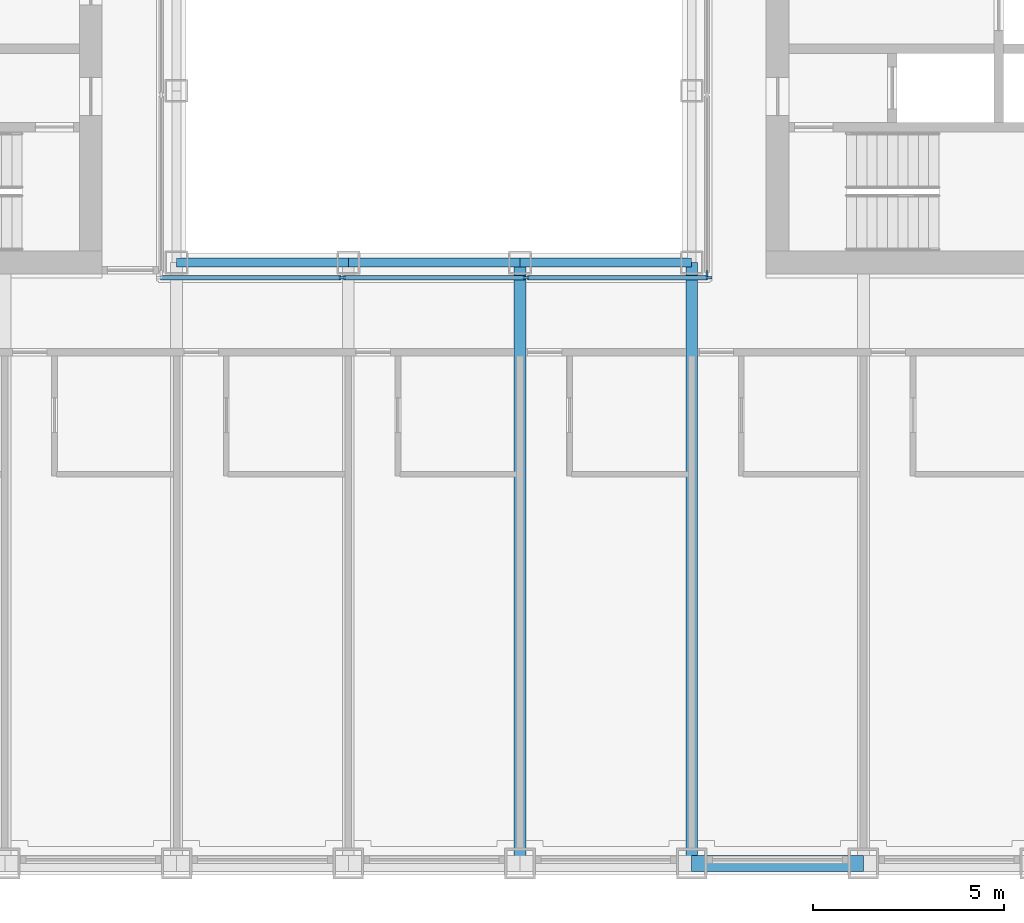
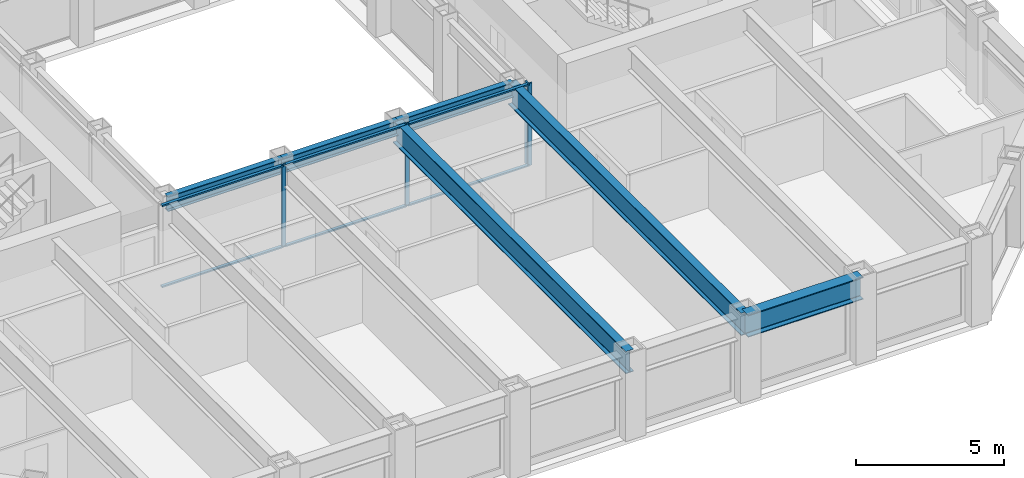
# One storey, part 3 of 18: 10 members, 6 beams, 2 elements without a shape of their own.
"""IFC4 building model written with IfcOpenShell, lengths in metres."""

from ifc_helpers import new_model, si_unit, direction, frame, origin, origin_2d, place, context, subcontext, project, spatial, rectangle, i_section, extrude, material, material_profile, profile_set, type_object, element, aggregate, save


model = new_model("IFC4")

# Units and contexts
model_context = context("Model", 3, precision=1e-05, world=origin(), true_north=direction((0.0, 1.0)))
body_context = subcontext(model_context, "Body", "Model", "MODEL_VIEW")
ifc_project = project(units=[si_unit("LENGTHUNIT", "METRE"), si_unit("AREAUNIT", "SQUARE_METRE"), si_unit("VOLUMEUNIT", "CUBIC_METRE"), si_unit("PLANEANGLEUNIT", "RADIAN"), si_unit("MASSUNIT", "GRAM", prefix="KILO")], contexts=[model_context])

# Site, building, storey
site_placement = place(None, origin())
site = spatial("IfcSite", under=ifc_project, at=site_placement, CompositionType="ELEMENT")
building_placement = place(site_placement, origin())
building = spatial("IfcBuilding", under=site, at=building_placement, Name="Msasa Ring Tower", CompositionType="ELEMENT")
storey_placement = place(building_placement, frame((0.0, 0.0, 125.60009765625)))
storey = spatial("IfcBuildingStorey", under=building, at=storey_placement, Name="L32", CompositionType="ELEMENT", Elevation=125.60009765625)

# Curtain wall, members
ifc_material_1 = material(Name="Aluminium curtain wall with clear glass", Category="aluminium")
curtain_wall_type = type_object("IfcCurtainWallType", Name="CW-W LIGHT WELL CURTAIN WALL", PredefinedType="NOTDEFINED", material=ifc_material_1)
curtain_wall_1_placement = place(storey_placement, origin())
curtain_wall_1 = element("IfcCurtainWall", 1, at=curtain_wall_1_placement, inside=storey, type_object=curtain_wall_type, Name="Light well curtain wall S L32", PredefinedType="NOTDEFINED")
ifc_material_2 = material(Name="Aluminium mullion", Category="aluminium")
ifc_material_profile_1 = material_profile(ifc_material_2, rectangle(XDim=0.06005859375, YDim=0.159912109375, at=origin_2d()), Name="AL 60x160")
ifc_profile_set_1 = profile_set([ifc_material_profile_1], Name="Aluminium mullion")
member_type_1 = type_object("IfcMemberType", Name="CW-W MULLION 60x160", PredefinedType="MULLION", material=ifc_profile_set_1)
member_1_placement = place(storey_placement, frame((-2.409912109375, -7.14990234375, 0.0), z_axis=(0.0, 0.0, 1.0), x_axis=(0.0, 1.0, 0.0)))
member_1 = element("IfcMember", 2, at=member_1_placement, type_object=member_type_1, Name="CW-W mullion 2", PredefinedType="MULLION", context=body_context, shape_type="SweptSolid", body=[
    extrude(rectangle(XDim=0.06005859375, YDim=0.159912109375, at=origin_2d()), origin(), (0.0, 0.0, 1.0), 3.39990234375),
])
member_2_placement = place(storey_placement, frame((2.409912109375, -7.14990234375, 0.0), z_axis=(0.0, 0.0, 1.0), x_axis=(0.0, 1.0, 0.0)))
member_2 = element("IfcMember", 3, at=member_2_placement, type_object=member_type_1, Name="CW-W mullion 3", PredefinedType="MULLION", context=body_context, shape_type="SweptSolid", body=[
    extrude(rectangle(XDim=0.06005859375, YDim=0.159912109375, at=origin_2d()), origin(), (0.0, 0.0, 1.0), 3.39990234375),
])
member_3_placement = place(storey_placement, frame((7.199951171875, -7.14990234375, 0.0), z_axis=(0.0, 0.0, 1.0), x_axis=(0.0, 1.0, 0.0)))
member_3 = element("IfcMember", 4, at=member_3_placement, type_object=member_type_1, Name="CW-W mullion 4", PredefinedType="MULLION", context=body_context, shape_type="SweptSolid", body=[
    extrude(rectangle(XDim=0.06005859375, YDim=0.159912109375, at=origin_2d()), origin(), (0.0, 0.0, 1.0), 3.39990234375),
])

# Curtain wall, member
curtain_wall_2_placement = place(storey_placement, origin())
curtain_wall_2 = element("IfcCurtainWall", 5, at=curtain_wall_2_placement, inside=storey, type_object=curtain_wall_type, Name="Light well curtain wall E L32", PredefinedType="NOTDEFINED")
member_4_placement = place(storey_placement, frame((7.14990234375, -7.0400390625, 0.0), z_axis=(0.0, 0.0, 1.0), x_axis=(-1.0, 0.0, 0.0)))
member_4 = element("IfcMember", 6, at=member_4_placement, type_object=member_type_1, Name="CW-W mullion 1", PredefinedType="MULLION", context=body_context, shape_type="SweptSolid", body=[
    extrude(rectangle(XDim=0.06005859375, YDim=0.159912109375, at=origin_2d()), origin(), (0.0, 0.0, 1.0), 3.39990234375),
])
aggregate(curtain_wall_2, [member_4])

# Member
ifc_material_3 = material(Name="Aluminium transom", Category="aluminium")
ifc_material_profile_2 = material_profile(ifc_material_3, rectangle(XDim=0.1201171875, YDim=0.06005859375, at=origin_2d()), Name="AL 60x120")
ifc_profile_set_2 = profile_set([ifc_material_profile_2], Name="Aluminium transom")
member_type_2 = type_object("IfcMemberType", Name="CW-W TRANSOM 60x120", PredefinedType="USERDEFINED", material=ifc_profile_set_2)
member_5_placement = place(storey_placement, frame((-7.169921875, -7.14990234375, 0.02978515625), z_axis=(1.0, 0.0, 0.0), x_axis=(0.0, 1.0, 0.0)))
member_5 = element("IfcMember", 7, at=member_5_placement, type_object=member_type_2, Name="CW-W transom 1.1", ObjectType="TRANSOM", PredefinedType="USERDEFINED", context=body_context, shape_type="SweptSolid", body=[
    extrude(rectangle(XDim=0.1201171875, YDim=0.06005859375, at=origin_2d()), origin(), (0.0, 0.0, 1.0), 4.72998046875),
])

member_6_placement = place(storey_placement, frame((-7.169921875, -7.14990234375, 3.369873046875), z_axis=(1.0, 0.0, 0.0), x_axis=(0.0, 1.0, 0.0)))
member_6 = element("IfcMember", 8, at=member_6_placement, type_object=member_type_2, Name="CW-W transom 1.2", ObjectType="TRANSOM", PredefinedType="USERDEFINED", context=body_context, shape_type="SweptSolid", body=[
    extrude(rectangle(XDim=0.1201171875, YDim=0.06005859375, at=origin_2d()), origin(), (0.0, 0.0, 1.0), 4.72998046875),
])

member_7_placement = place(storey_placement, frame((-2.3798828125, -7.14990234375, 0.02978515625), z_axis=(1.0, 0.0, 0.0), x_axis=(0.0, 1.0, 0.0)))
member_7 = element("IfcMember", 9, at=member_7_placement, type_object=member_type_2, Name="CW-W transom 2.1", ObjectType="TRANSOM", PredefinedType="USERDEFINED", context=body_context, shape_type="SweptSolid", body=[
    extrude(rectangle(XDim=0.1201171875, YDim=0.06005859375, at=origin_2d()), origin(), (0.0, 0.0, 1.0), 4.759765625),
])

member_8_placement = place(storey_placement, frame((-2.3798828125, -7.14990234375, 3.369873046875), z_axis=(1.0, 0.0, 0.0), x_axis=(0.0, 1.0, 0.0)))
member_8 = element("IfcMember", 10, at=member_8_placement, type_object=member_type_2, Name="CW-W transom 2.2", ObjectType="TRANSOM", PredefinedType="USERDEFINED", context=body_context, shape_type="SweptSolid", body=[
    extrude(rectangle(XDim=0.1201171875, YDim=0.06005859375, at=origin_2d()), origin(), (0.0, 0.0, 1.0), 4.759765625),
])

member_9_placement = place(storey_placement, frame((2.43994140625, -7.14990234375, 0.02978515625), z_axis=(1.0, 0.0, 0.0), x_axis=(0.0, 1.0, 0.0)))
member_9 = element("IfcMember", 11, at=member_9_placement, type_object=member_type_2, Name="CW-W transom 3.1", ObjectType="TRANSOM", PredefinedType="USERDEFINED", context=body_context, shape_type="SweptSolid", body=[
    extrude(rectangle(XDim=0.1201171875, YDim=0.06005859375, at=origin_2d()), origin(), (0.0, 0.0, 1.0), 4.72998046875),
])

member_10_placement = place(storey_placement, frame((2.43994140625, -7.14990234375, 3.369873046875), z_axis=(1.0, 0.0, 0.0), x_axis=(0.0, 1.0, 0.0)))
member_10 = element("IfcMember", 12, at=member_10_placement, type_object=member_type_2, Name="CW-W transom 3.2", ObjectType="TRANSOM", PredefinedType="USERDEFINED", context=body_context, shape_type="SweptSolid", body=[
    extrude(rectangle(XDim=0.1201171875, YDim=0.06005859375, at=origin_2d()), origin(), (0.0, 0.0, 1.0), 4.72998046875),
])

aggregate(curtain_wall_1, [member_1, member_2, member_3, member_5, member_6, member_7, member_8, member_9, member_10])

# Beams
ifc_material_4 = material(Name="Steel S355", Category="steel")
ifc_material_profile_3 = material_profile(ifc_material_4, i_section(OverallWidth=0.3076171875, OverallDepth=0.926513671875, WebThickness=0.01953125, FlangeThickness=0.031982421875, FilletRadius=0.01904296875, at=origin_2d()), Name="UB 914x305x289")
ifc_profile_set_3 = profile_set([ifc_material_profile_3], Name="Steel S355")
beam_type_1 = type_object("IfcBeamType", Name="FB3 UB 914x305x289", PredefinedType="BEAM", material=ifc_profile_set_3)
for number, where, z_axis, x_axis, name in (
    (13, (2.25, -22.5, 2.9365234375), (0.0, 1.0, 0.0), (-1.0, 0.0, 0.0), "Floor beam S+2.25 under L33"),
    (14, (6.75, -22.5, 2.9365234375), (0.0, 1.0, 0.0), (-1.0, 0.0, 0.0), "Floor beam S+6.75 under L33"),
):
    element("IfcBeam", number, at=place(storey_placement, frame(where, z_axis=z_axis, x_axis=x_axis)), inside=storey, type_object=beam_type_1, Name=name, PredefinedType="BEAM", context=body_context, shape_type="SweptSolid", body=[
        extrude(i_section(OverallWidth=0.3076171875, OverallDepth=0.926513671875, WebThickness=0.01953125, FlangeThickness=0.031982421875, FilletRadius=0.01904296875, at=origin_2d()), origin(), (0.0, 0.0, 1.0), 15.75),
    ])
ifc_material_5 = material(Name="Steel S355", Category="steel")
ifc_material_profile_4 = material_profile(ifc_material_5, i_section(OverallWidth=0.230224609375, OverallDepth=0.6171875, WebThickness=0.01318359375, FlangeThickness=0.022216796875, FilletRadius=0.0126953125, at=origin_2d()), Name="UB 610x229x140")
ifc_profile_set_4 = profile_set([ifc_material_profile_4], Name="Steel S355")
beam_type_2 = type_object("IfcBeamType", Name="RB1 UB 610x229x140", PredefinedType="BEAM", material=ifc_profile_set_4)
for number, where, z_axis, x_axis, name in (
    (15, (-6.75, -6.75, 3.09130859375), (1.0, 0.0, 0.0), (0.0, 1.0, 0.0), "Inner ring beam IR-6.75-6.75 under L33"),
    (16, (-2.25, -6.75, 3.09130859375), (1.0, 0.0, 0.0), (0.0, 1.0, 0.0), "Inner ring beam IR-2.25-6.75 under L33"),
    (17, (2.25, -6.75, 3.09130859375), (1.0, 0.0, 0.0), (0.0, 1.0, 0.0), "Inner ring beam IR+2.25-6.75 under L33"),
):
    element("IfcBeam", number, at=place(storey_placement, frame(where, z_axis=z_axis, x_axis=x_axis)), inside=storey, type_object=beam_type_2, Name=name, PredefinedType="BEAM", context=body_context, shape_type="SweptSolid", body=[
        extrude(i_section(OverallWidth=0.230224609375, OverallDepth=0.6171875, WebThickness=0.01318359375, FlangeThickness=0.022216796875, FilletRadius=0.0126953125, at=origin_2d()), origin(), (0.0, 0.0, 1.0), 4.5),
    ])
ifc_material_6 = material(Name="Steel S355", Category="steel")
ifc_material_profile_5 = material_profile(ifc_material_6, i_section(OverallWidth=0.42041015625, OverallDepth=0.9208984375, WebThickness=0.021484375, FlangeThickness=0.03662109375, FilletRadius=0.024169921875, at=origin_2d()), Name="UB 914x419x388")
ifc_profile_set_5 = profile_set([ifc_material_profile_5], Name="Steel S355")
beam_type_3 = type_object("IfcBeamType", Name="SB1 UB 914x419x388", PredefinedType="SPANDREL", material=ifc_profile_set_5)
beam_placement = place(storey_placement, frame((6.75, -22.5, 2.939453125), z_axis=(1.0, 0.0, 0.0), x_axis=(0.0, 1.0, 0.0)))
element("IfcBeam", 18, at=beam_placement, inside=storey, type_object=beam_type_3, Name="Spandrel S+6.75 to S+11.25 under L33", PredefinedType="SPANDREL", context=body_context, shape_type="SweptSolid", body=[
    extrude(i_section(OverallWidth=0.42041015625, OverallDepth=0.9208984375, WebThickness=0.021484375, FlangeThickness=0.03662109375, FilletRadius=0.024169921875, at=origin_2d()), origin(), (0.0, 0.0, 1.0), 4.5),
])

save(model, "model.ifc")
